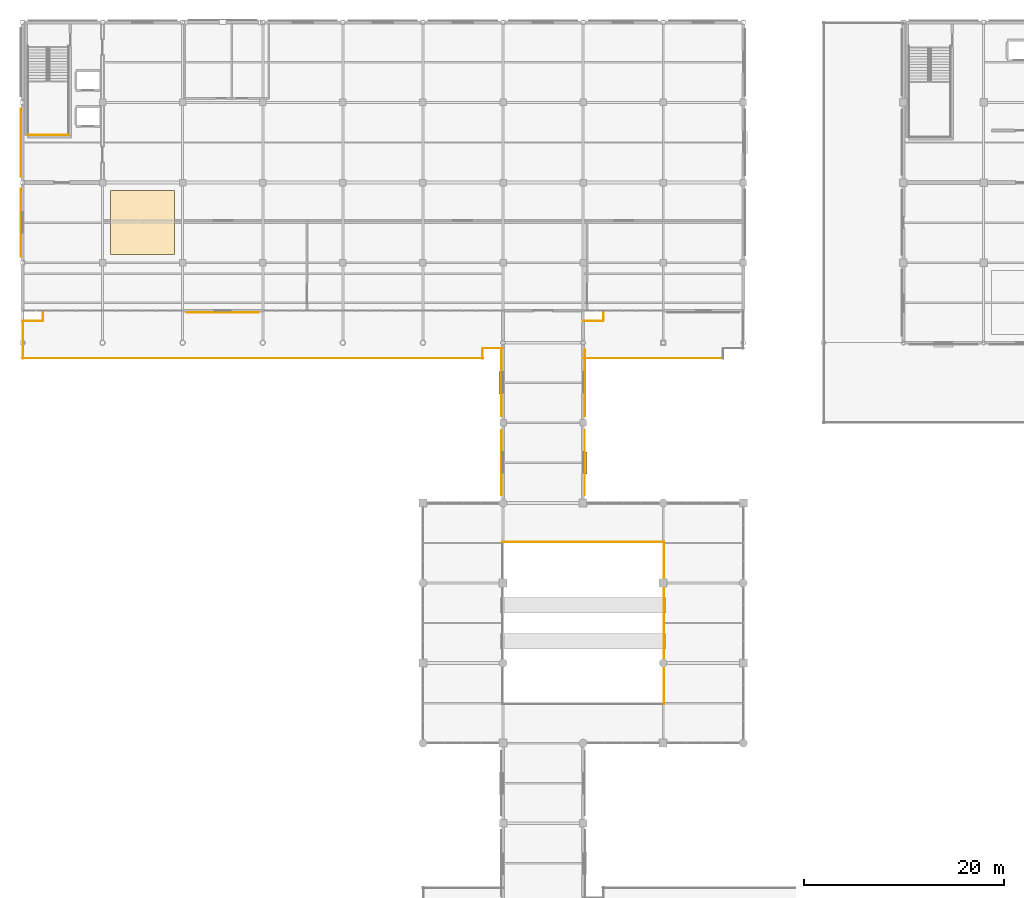
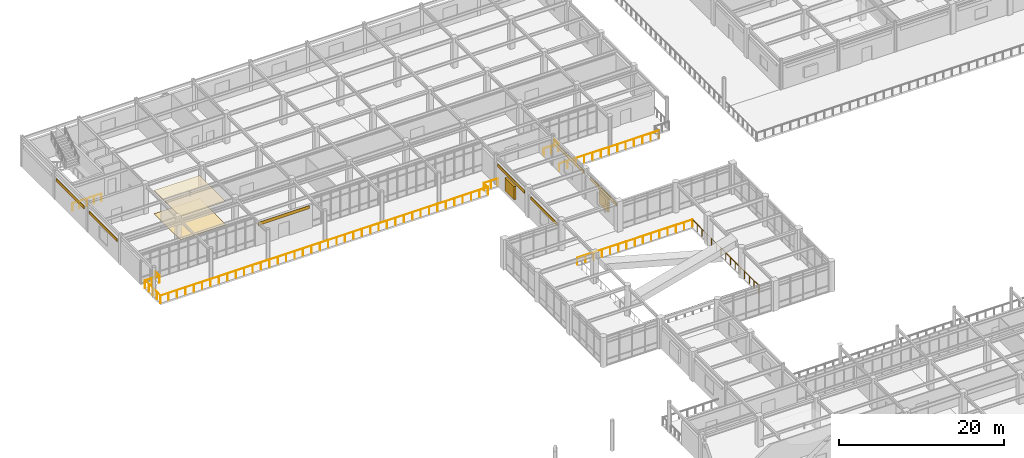
# One storey, part 68 of 75: 12 railings, 9 coverings, 2 shading devices.
"""IFC4 building model written with IfcOpenShell, lengths in metres."""

import ifcopenshell
import ifcopenshell.guid

model = None  # the IFC model being written
_history = None  # IfcOwnerHistory: only IFC2X3 demands one
_inside = {}  # id of a spatial element -> (the spatial element, [elements in it])
_under = {}  # id of a project, library or spatial element -> (it, [spatial elements below it])
_declared = {}  # id of a project -> (the project, [libraries it declares])
_typed = {}  # id of a type object -> (the type object, [elements of that type])
_made_of = {}  # id of a material, layer set ... -> (it, [elements and type objects made of it])


def new_model(schema):
    """Start an empty IFC model of exactly this schema.

    Asked for "IFC4X3", IfcOpenShell would pick the latest addendum, in which some entities
    have other attributes; the version numbers below select the first issue.
    IFC2X3 requires an IfcOwnerHistory on every rooted entity: one is made here for all.
    """
    global model, _history
    if schema == "IFC4X3":
        model = ifcopenshell.file(schema_version=(4, 3, 0, 0))
    else:
        model = ifcopenshell.file(schema=schema)
    _inside.clear()
    _under.clear()
    _declared.clear()
    _typed.clear()
    _made_of.clear()
    _history = None
    if model.schema == "IFC2X3":
        org = make("IfcOrganization", Name="unknown")
        user = make(
            "IfcPersonAndOrganization",
            ThePerson=make("IfcPerson", FamilyName="unknown"),
            TheOrganization=org,
        )
        app = make(
            "IfcApplication",
            ApplicationDeveloper=org,
            Version="unknown",
            ApplicationFullName="unknown",
            ApplicationIdentifier="unknown",
        )
        _history = make(
            "IfcOwnerHistory",
            OwningUser=user,
            OwningApplication=app,
            ChangeAction="ADDED",
            CreationDate=0,
        )
    return model


def make(cls, **values):
    """One entity of the class cls with the attributes given. An attribute that is None is left unset."""
    return model.create_entity(
        cls, **{name: value for name, value in values.items() if value is not None}
    )


def rooted(cls, **values):
    """An entity with a GlobalId (a new one), such as an element, a storey or a relation."""
    return make(cls, GlobalId=ifcopenshell.guid.new(), OwnerHistory=_history, **values)


def si_unit(unit_type, name, prefix=None):
    """IfcSIUnit, for example si_unit("LENGTHUNIT", "METRE", prefix="MILLI")."""
    return make("IfcSIUnit", UnitType=unit_type, Prefix=prefix, Name=name)


def assignment(units):
    """IfcUnitAssignment: the units of a project."""
    return None if units is None else make("IfcUnitAssignment", Units=units)


def point(xyz):
    """IfcCartesianPoint."""
    return None if xyz is None else make("IfcCartesianPoint", Coordinates=xyz)


def direction(xyz):
    """IfcDirection."""
    return None if xyz is None else make("IfcDirection", DirectionRatios=xyz)


def frame(location, z_axis=None, x_axis=None):
    """IfcAxis2Placement3D, a coordinate frame: its origin and axes. An axis left out is left unset."""
    return make(
        "IfcAxis2Placement3D",
        Location=point(location),
        Axis=direction(z_axis),
        RefDirection=direction(x_axis),
    )


def frame_2d(location, x_axis=None):
    """IfcAxis2Placement2D, a coordinate frame in the plane: its origin and x axis."""
    return make(
        "IfcAxis2Placement2D", Location=point(location), RefDirection=direction(x_axis)
    )


def origin():
    """The frame at (0, 0, 0) with its axes left unset."""
    return frame((0.0, 0.0, 0.0))


def origin_2d():
    """The frame at (0, 0) in the plane with its x axis left unset."""
    return frame_2d((0.0, 0.0))


def place(relative_to, where):
    """IfcLocalPlacement: puts the frame where relative to a parent placement (None: the world)."""
    return make(
        "IfcLocalPlacement", PlacementRelTo=relative_to, RelativePlacement=where
    )


def context(
    kind, dimensions, precision=None, world=None, true_north=None, identifier=None
):
    """IfcGeometricRepresentationContext, for example the 3D "Model" context."""
    return make(
        "IfcGeometricRepresentationContext",
        ContextIdentifier=identifier,
        ContextType=kind,
        CoordinateSpaceDimension=dimensions,
        Precision=precision,
        WorldCoordinateSystem=world,
        TrueNorth=true_north,
    )


def subcontext(parent, identifier, kind, view, scale=None):
    """IfcGeometricRepresentationSubContext, for example "Body" below "Model"."""
    return make(
        "IfcGeometricRepresentationSubContext",
        ContextIdentifier=identifier,
        ContextType=kind,
        ParentContext=parent,
        TargetScale=scale,
        TargetView=view,
    )


def project(units=None, contexts=None):
    """IfcProject with its units and contexts."""
    return rooted(
        "IfcProject",
        Name="project",
        RepresentationContexts=contexts,
        UnitsInContext=assignment(units),
    )


def spatial(cls, under=None, at=None, **own):
    """A site, building, storey or space (cls), placed at a placement, below another one or the project."""
    s = rooted(cls, ObjectPlacement=at, **own)
    if under is not None:
        _under.setdefault(under.id(), (under, []))[1].append(s)
    return s


def polyline(points):
    """IfcPolyline through the points."""
    return make("IfcPolyline", Points=[point(p) for p in points])


def profile(cls, at=None, kind="AREA", **sizes):
    """A parametric profile (cls). Its sizes go by their IFC names, for example OverallWidth=200.0."""
    return make(cls, ProfileType=kind, Position=at, **sizes)


def rectangle(**sizes):
    """IfcRectangleProfileDef."""
    return profile("IfcRectangleProfileDef", **sizes)


def circle(**sizes):
    """IfcCircleProfileDef."""
    return profile("IfcCircleProfileDef", **sizes)


def outline(outer, holes=None, kind="AREA"):
    """IfcArbitraryClosedProfileDef: a profile drawn as a closed curve; with holes, ...WithVoids."""
    if holes is None:
        return make("IfcArbitraryClosedProfileDef", ProfileType=kind, OuterCurve=outer)
    return make(
        "IfcArbitraryProfileDefWithVoids",
        ProfileType=kind,
        OuterCurve=outer,
        InnerCurves=holes,
    )


def extrude(swept, where, along, depth):
    """IfcExtrudedAreaSolid: the profile swept, set in the frame where, extruded along a direction by depth."""
    return make(
        "IfcExtrudedAreaSolid",
        SweptArea=swept,
        Position=where,
        ExtrudedDirection=direction(along),
        Depth=depth,
    )


def shape(context_of_items, identifier, shape_type, items):
    """IfcShapeRepresentation: the items that make up one representation, for example the "Body"."""
    return make(
        "IfcShapeRepresentation",
        ContextOfItems=context_of_items,
        RepresentationIdentifier=identifier,
        RepresentationType=shape_type,
        Items=items,
    )


def material(Name=None, Category=None):
    """IfcMaterial."""
    return make("IfcMaterial", Name=Name, Category=Category)


def layer(
    of_material, thickness, ventilated=None, Name=None, Category=None, Priority=None
):
    """IfcMaterialLayer: one layer of a wall or slab, of a material (None: an air gap)."""
    return make(
        "IfcMaterialLayer",
        Material=of_material,
        LayerThickness=thickness,
        IsVentilated=ventilated,
        Name=Name,
        Category=Category,
        Priority=Priority,
    )


def layer_set(layers, Name=None):
    """IfcMaterialLayerSet."""
    return make("IfcMaterialLayerSet", MaterialLayers=layers, LayerSetName=Name)


def made_of(thing, what):
    """Note that an element or type object is made of a material, layer set ...; save() writes the relation."""
    if what is not None:
        _made_of.setdefault(what.id(), (what, []))[1].append(thing)
    return thing


def type_object(cls, material=None, **own):
    """A type object (cls), such as IfcWallType, which elements share."""
    return made_of(rooted(cls, **own), material)


def element(
    cls,
    number,
    at=None,
    inside=None,
    cuts=None,
    type_object=None,
    material=None,
    context=None,
    identifier="Body",
    shape_type=None,
    held_by="IfcProductDefinitionShape",
    body=None,
    shapes=None,
    **own,
):
    """One element of the class cls, such as IfcWall. Its Tag is "e" and its number.

    at: its placement. inside: the storey or other place that contains it. cuts: it is an
    opening in that element (IfcRelVoidsElement). A single representation is given by context,
    identifier, shape_type and body (its items); several are given by shapes. held_by: the class
    of the entity that holds the representations. save() writes the other relations.
    """
    e = rooted(cls, Tag="e%d" % number, ObjectPlacement=at, **own)
    if body is not None:
        shapes = [shape(context, identifier, shape_type, body)]
    if shapes is not None:
        e.Representation = make(held_by, Representations=shapes)
    if inside is not None:
        _inside.setdefault(inside.id(), (inside, []))[1].append(e)
    if cuts is not None:
        rooted(
            "IfcRelVoidsElement", RelatingBuildingElement=cuts, RelatedOpeningElement=e
        )
    if type_object is not None:
        _typed.setdefault(type_object.id(), (type_object, []))[1].append(e)
    return made_of(e, material)


def aggregate(whole, parts):
    """IfcRelAggregates: a whole, such as a stair, and the parts it consists of."""
    return rooted("IfcRelAggregates", RelatingObject=whole, RelatedObjects=parts)


def save(model, path):
    """Write the relations noted so far, then the file.

    IfcRelAggregates (storeys below a building ...), IfcRelContainedInSpatialStructure (elements
    in a storey), IfcRelDefinesByType, IfcRelAssociatesMaterial and IfcRelDeclares: one each for
    every whole, place, type object, material and project.
    """
    for whole, parts in _under.values():
        aggregate(whole, parts)
    for where, things in _inside.values():
        rooted(
            "IfcRelContainedInSpatialStructure",
            RelatedElements=things,
            RelatingStructure=where,
        )
    for kind, things in _typed.values():
        rooted("IfcRelDefinesByType", RelatedObjects=things, RelatingType=kind)
    for what, things in _made_of.values():
        rooted("IfcRelAssociatesMaterial", RelatedObjects=things, RelatingMaterial=what)
    for by, libraries in _declared.values():
        rooted("IfcRelDeclares", RelatingContext=by, RelatedDefinitions=libraries)
    model.write(path)


model = new_model("IFC4")

# Units and contexts
model_context = context("Model", 3, precision=1e-05, world=origin(), true_north=direction((0.0, 1.0)))
body_context = subcontext(model_context, "Body", "Model", "MODEL_VIEW")
ifc_project = project(units=[si_unit("LENGTHUNIT", "METRE"), si_unit("AREAUNIT", "SQUARE_METRE"), si_unit("VOLUMEUNIT", "CUBIC_METRE"), si_unit("PLANEANGLEUNIT", "RADIAN"), si_unit("MASSUNIT", "GRAM", prefix="KILO")], contexts=[model_context])

# Site, building, storey
site_placement = place(None, origin())
site = spatial("IfcSite", under=ifc_project, at=site_placement, CompositionType="ELEMENT")
building_placement = place(site_placement, origin())
building = spatial("IfcBuilding", under=site, at=building_placement, Name="Solmirada Galleria", CompositionType="ELEMENT")
storey_placement = place(building_placement, frame((0.0, 0.0, 19.39990234375)))
storey = spatial("IfcBuildingStorey", under=building, at=storey_placement, Name="L04", CompositionType="ELEMENT", Elevation=19.39990234375)

# Coverings
ifc_material_1 = material(Name="Perforated acoustic mineral-fibre ceiling")
ifc_layer_1 = layer(ifc_material_1, 0.02490234375)
ifc_layer_set_1 = layer_set([ifc_layer_1], Name="Perforated acoustic mineral-fibre ceiling")
covering_type_1 = type_object("IfcCoveringType", Name="COV-CEIL-ACOUST", PredefinedType="CEILING", material=ifc_layer_set_1)
covering_1_placement = place(storey_placement, frame((0.0, 0.0, 3.4501953125)))
element("IfcCovering", 1, at=covering_1_placement, inside=storey, type_object=covering_type_1, Name="Acoustic ceiling panel L04-1", PredefinedType="CEILING", context=body_context, shape_type="SweptSolid", body=[
    extrude(outline(polyline([(48.800048828125, 96.800048828125), (55.199951171875, 96.800048828125), (55.199951171875, 103.199951171875), (48.800048828125, 103.199951171875), (48.800048828125, 96.800048828125)])), origin(), (0.0, 0.0, 1.0), 0.02490234375),
])
ifc_material_2 = material(Name="Limestone cladding panels", Category="masonry")
ifc_layer_2 = layer(ifc_material_2, 0.044921875)
ifc_layer_set_2 = layer_set([ifc_layer_2], Name="Limestone cladding panels")
covering_type_2 = type_object("IfcCoveringType", Name="COV-CLAD-LIME", PredefinedType="CLADDING", material=ifc_layer_set_2)
covering_2_placement = place(storey_placement, frame((87.83251953125, 84.0, 2.990234375), z_axis=(0.0, 0.0, 1.0), x_axis=(0.0, 1.0, 0.0)))
element("IfcCovering", 2, at=covering_2_placement, inside=storey, type_object=covering_type_2, Name="Postmodern facade cladding L04-252", PredefinedType="CLADDING", context=body_context, shape_type="SweptSolid", body=[
    extrude(rectangle(XDim=6.646484375, YDim=0.044921875, at=origin_2d()), origin(), (0.0, 0.0, 1.0), 0.4599609375),
])
covering_3_placement = place(storey_placement, frame((39.83251953125, 108.0, 2.990234375), z_axis=(0.0, 0.0, 1.0), x_axis=(0.0, 1.0, 0.0)))
element("IfcCovering", 3, at=covering_3_placement, inside=storey, type_object=covering_type_2, Name="Postmodern facade cladding L04-255", PredefinedType="CLADDING", context=body_context, shape_type="SweptSolid", body=[
    extrude(rectangle(XDim=6.7939453125, YDim=0.044921875, at=origin_2d()), origin(), (0.0, 0.0, 1.0), 0.4599609375),
])
covering_4_placement = place(storey_placement, frame((96.16748046875, 84.0, 2.990234375), z_axis=(0.0, 0.0, 1.0), x_axis=(0.0, -1.0, 0.0)))
element("IfcCovering", 4, at=covering_4_placement, inside=storey, type_object=covering_type_2, Name="Postmodern facade cladding L04-270", PredefinedType="CLADDING", context=body_context, shape_type="SweptSolid", body=[
    extrude(rectangle(XDim=6.646484375, YDim=0.044921875, at=origin_2d()), origin(), (0.0, 0.0, 1.0), 0.4599609375),
])
ifc_material_3 = material(Name="Glazed terracotta facade panels", Category="masonry")
ifc_layer_3 = layer(ifc_material_3, 0.0400390625)
ifc_layer_set_3 = layer_set([ifc_layer_3], Name="Glazed terracotta facade panels")
covering_type_3 = type_object("IfcCoveringType", Name="COV-CLAD-TERRA", PredefinedType="CLADDING", material=ifc_layer_set_3)
covering_5_placement = place(storey_placement, frame((87.8349609375, 76.0, 2.990234375), z_axis=(0.0, 0.0, 1.0), x_axis=(0.0, 1.0, 0.0)))
element("IfcCovering", 5, at=covering_5_placement, inside=storey, type_object=covering_type_3, Name="Postmodern facade cladding L04-251", PredefinedType="CLADDING", context=body_context, shape_type="SweptSolid", body=[
    extrude(rectangle(XDim=6.47509765625, YDim=0.0400390625, at=origin_2d()), origin(), (0.0, 0.0, 1.0), 0.4599609375),
])
covering_6_placement = place(storey_placement, frame((60.0, 91.034912109375, 2.990234375), z_axis=(0.0, 0.0, 1.0), x_axis=(-1.0, 0.0, 0.0)))
element("IfcCovering", 6, at=covering_6_placement, inside=storey, type_object=covering_type_3, Name="Postmodern facade cladding L04-253", PredefinedType="CLADDING", context=body_context, shape_type="SweptSolid", body=[
    extrude(rectangle(XDim=7.199951171875, YDim=0.0400390625, at=origin_2d()), origin(), (0.0, 0.0, 1.0), 0.4599609375),
])
covering_7_placement = place(storey_placement, frame((39.8349609375, 100.0, 2.990234375), z_axis=(0.0, 0.0, 1.0), x_axis=(0.0, 1.0, 0.0)))
element("IfcCovering", 7, at=covering_7_placement, inside=storey, type_object=covering_type_3, Name="Postmodern facade cladding L04-254", PredefinedType="CLADDING", context=body_context, shape_type="SweptSolid", body=[
    extrude(rectangle(XDim=6.7939453125, YDim=0.0400390625, at=origin_2d()), origin(), (0.0, 0.0, 1.0), 0.4599609375),
])
covering_8_placement = place(storey_placement, frame((96.1650390625, 76.0, 2.990234375), z_axis=(0.0, 0.0, 1.0), x_axis=(0.0, -1.0, 0.0)))
element("IfcCovering", 8, at=covering_8_placement, inside=storey, type_object=covering_type_3, Name="Postmodern facade cladding L04-271", PredefinedType="CLADDING", context=body_context, shape_type="SweptSolid", body=[
    extrude(rectangle(XDim=6.47509765625, YDim=0.0400390625, at=origin_2d()), origin(), (0.0, 0.0, 1.0), 0.4599609375),
])
ifc_material_4 = material(Name="Polished terrazzo and porcelain tile flooring")
ifc_layer_4 = layer(ifc_material_4, 0.030029296875)
ifc_layer_set_4 = layer_set([ifc_layer_4], Name="Polished terrazzo and porcelain tile flooring")
covering_type_4 = type_object("IfcCoveringType", Name="COV-FLOOR-TERRAZ", PredefinedType="FLOORING", material=ifc_layer_set_4)
covering_9_placement = place(storey_placement, origin())
element("IfcCovering", 9, at=covering_9_placement, inside=storey, type_object=covering_type_4, Name="Terrazzo floor finish L04-1", PredefinedType="FLOORING", context=body_context, shape_type="SweptSolid", body=[
    extrude(outline(polyline([(48.800048828125, 96.800048828125), (55.199951171875, 96.800048828125), (55.199951171875, 103.199951171875), (48.800048828125, 103.199951171875), (48.800048828125, 96.800048828125)])), origin(), (0.0, 0.0, 1.0), 0.030029296875),
])

# Railings
ifc_material_5 = material(Name="Tempered laminated glass and stainless-steel balustrade", Category="steel")
railing_type_1 = type_object("IfcRailingType", Name="RAIL-ATRIUM-BAL", PredefinedType="BALUSTRADE", material=ifc_material_5)
railing_1_placement = place(storey_placement, frame((104.080078125, 51.919921875, 0.0)))
element("IfcRailing", 10, at=railing_1_placement, inside=storey, type_object=railing_type_1, Name="Void balustrade ATRIUM L04-E1", PredefinedType="BALUSTRADE", context=body_context, shape_type="SweptSolid", body=[
    extrude(circle(Radius=0.02392578125, at=origin_2d()), frame((0.0, 0.0, 1.09619140625), z_axis=(0.0, 1.0, 0.0), x_axis=(-1.0, 0.0, 0.0)), (0.0, 0.0, 1.0), 16.16015625),
    extrude(circle(Radius=0.02099609375, at=origin_2d()), origin(), (0.0, 0.0, 1.0), 1.068115234375),
    extrude(circle(Radius=0.02099609375, at=origin_2d()), frame((0.0, 1.154296875, 0.0)), (0.0, 0.0, 1.0), 1.068115234375),
    extrude(circle(Radius=0.02099609375, at=origin_2d()), frame((0.0, 2.30859375, 0.0)), (0.0, 0.0, 1.0), 1.068115234375),
    extrude(circle(Radius=0.02099609375, at=origin_2d()), frame((0.0, 3.462890625, 0.0)), (0.0, 0.0, 1.0), 1.068115234375),
    extrude(circle(Radius=0.02099609375, at=origin_2d()), frame((0.0, 4.6171875, 0.0)), (0.0, 0.0, 1.0), 1.068115234375),
    extrude(circle(Radius=0.02099609375, at=origin_2d()), frame((0.0, 5.771484375, 0.0)), (0.0, 0.0, 1.0), 1.068115234375),
    extrude(circle(Radius=0.02099609375, at=origin_2d()), frame((0.0, 6.92578125, 0.0)), (0.0, 0.0, 1.0), 1.068115234375),
    extrude(circle(Radius=0.02099609375, at=origin_2d()), frame((0.0, 8.080078125, 0.0)), (0.0, 0.0, 1.0), 1.068115234375),
    extrude(circle(Radius=0.02099609375, at=origin_2d()), frame((0.0, 9.234375, 0.0)), (0.0, 0.0, 1.0), 1.068115234375),
    extrude(circle(Radius=0.02099609375, at=origin_2d()), frame((0.0, 10.388671875, 0.0)), (0.0, 0.0, 1.0), 1.068115234375),
    extrude(circle(Radius=0.02099609375, at=origin_2d()), frame((0.0, 11.54296875, 0.0)), (0.0, 0.0, 1.0), 1.068115234375),
    extrude(circle(Radius=0.02099609375, at=origin_2d()), frame((0.0, 12.697265625, 0.0)), (0.0, 0.0, 1.0), 1.068115234375),
    extrude(circle(Radius=0.02099609375, at=origin_2d()), frame((0.0, 13.8515625, 0.0)), (0.0, 0.0, 1.0), 1.068115234375),
    extrude(circle(Radius=0.02099609375, at=origin_2d()), frame((0.0, 15.005859375, 0.0)), (0.0, 0.0, 1.0), 1.068115234375),
    extrude(circle(Radius=0.02099609375, at=origin_2d()), frame((0.0, 16.16015625, 0.0)), (0.0, 0.0, 1.0), 1.068115234375),
])
railing_2_placement = place(storey_placement, frame((87.919921875, 68.080078125, 0.0)))
element("IfcRailing", 11, at=railing_2_placement, inside=storey, type_object=railing_type_1, Name="Void balustrade ATRIUM L04-N", PredefinedType="BALUSTRADE", context=body_context, shape_type="SweptSolid", body=[
    extrude(circle(Radius=0.02392578125, at=origin_2d()), frame((0.0, 0.0, 1.09619140625), z_axis=(1.0, 0.0, 0.0), x_axis=(0.0, 1.0, 0.0)), (0.0, 0.0, 1.0), 16.16015625),
    extrude(circle(Radius=0.02099609375, at=origin_2d()), origin(), (0.0, 0.0, 1.0), 1.068115234375),
    extrude(circle(Radius=0.02099609375, at=origin_2d()), frame((1.154296875, 0.0, 0.0)), (0.0, 0.0, 1.0), 1.068115234375),
    extrude(circle(Radius=0.02099609375, at=origin_2d()), frame((2.30859375, 0.0, 0.0)), (0.0, 0.0, 1.0), 1.068115234375),
    extrude(circle(Radius=0.02099609375, at=origin_2d()), frame((3.462890625, 0.0, 0.0)), (0.0, 0.0, 1.0), 1.068115234375),
    extrude(circle(Radius=0.02099609375, at=origin_2d()), frame((4.6171875, 0.0, 0.0)), (0.0, 0.0, 1.0), 1.068115234375),
    extrude(circle(Radius=0.02099609375, at=origin_2d()), frame((5.771484375, 0.0, 0.0)), (0.0, 0.0, 1.0), 1.068115234375),
    extrude(circle(Radius=0.02099609375, at=origin_2d()), frame((6.92578125, 0.0, 0.0)), (0.0, 0.0, 1.0), 1.068115234375),
    extrude(circle(Radius=0.02099609375, at=origin_2d()), frame((8.080078125, 0.0, 0.0)), (0.0, 0.0, 1.0), 1.068115234375),
    extrude(circle(Radius=0.02099609375, at=origin_2d()), frame((9.234375, 0.0, 0.0)), (0.0, 0.0, 1.0), 1.068115234375),
    extrude(circle(Radius=0.02099609375, at=origin_2d()), frame((10.388671875, 0.0, 0.0)), (0.0, 0.0, 1.0), 1.068115234375),
    extrude(circle(Radius=0.02099609375, at=origin_2d()), frame((11.54296875, 0.0, 0.0)), (0.0, 0.0, 1.0), 1.068115234375),
    extrude(circle(Radius=0.02099609375, at=origin_2d()), frame((12.697265625, 0.0, 0.0)), (0.0, 0.0, 1.0), 1.068115234375),
    extrude(circle(Radius=0.02099609375, at=origin_2d()), frame((13.8515625, 0.0, 0.0)), (0.0, 0.0, 1.0), 1.068115234375),
    extrude(circle(Radius=0.02099609375, at=origin_2d()), frame((15.005859375, 0.0, 0.0)), (0.0, 0.0, 1.0), 1.068115234375),
    extrude(circle(Radius=0.02099609375, at=origin_2d()), frame((16.16015625, 0.0, 0.0)), (0.0, 0.0, 1.0), 1.068115234375),
])
ifc_material_6 = material(Name="Painted steel tubular railing", Category="steel")
railing_type_2 = type_object("IfcRailingType", Name="RAIL-STAIR-GUARD", PredefinedType="GUARDRAIL", material=ifc_material_6)
railing_3_placement = place(storey_placement, frame((44.610107421875, 108.739990234375, 0.0)))
element("IfcRailing", 12, at=railing_3_placement, inside=storey, type_object=railing_type_2, Name="Stair ST1 well edge guard L04-2", PredefinedType="GUARDRAIL", context=body_context, shape_type="SweptSolid", body=[
    extrude(circle(Radius=0.02392578125, at=origin_2d()), frame((0.0, 0.0, 1.09619140625), z_axis=(-1.0, 0.0, 0.0), x_axis=(0.0, -1.0, 0.0)), (0.0, 0.0, 1.0), 4.070068359375),
    extrude(circle(Radius=0.02099609375, at=origin_2d()), origin(), (0.0, 0.0, 1.0), 1.068115234375),
    extrude(circle(Radius=0.02099609375, at=origin_2d()), frame((-1.017578125, 0.0, 0.0)), (0.0, 0.0, 1.0), 1.068115234375),
    extrude(circle(Radius=0.02099609375, at=origin_2d()), frame((-2.03515625, 0.0, 0.0)), (0.0, 0.0, 1.0), 1.068115234375),
    extrude(circle(Radius=0.02099609375, at=origin_2d()), frame((-3.052490234375, 0.0, 0.0)), (0.0, 0.0, 1.0), 1.068115234375),
    extrude(circle(Radius=0.02099609375, at=origin_2d()), frame((-4.070068359375, 0.0, 0.0)), (0.0, 0.0, 1.0), 1.068115234375),
])
ifc_material_7 = material(Name="Painted galvanized steel balustrade", Category="steel")
railing_type_3 = type_object("IfcRailingType", Name="RAIL-TERR-1100", PredefinedType="GUARDRAIL", material=ifc_material_7)
railing_4_placement = place(storey_placement, frame((40.0, 86.449951171875, 0.0)))
element("IfcRailing", 13, at=railing_4_placement, inside=storey, type_object=railing_type_3, Name="Terrace guardrail L04-TERR-NW E1.1", PredefinedType="GUARDRAIL", context=body_context, shape_type="SweptSolid", body=[
    extrude(circle(Radius=0.02392578125, at=origin_2d()), frame((0.0, 0.0, 1.09619140625), z_axis=(1.0, 0.0, 0.0), x_axis=(0.0, 1.0, 0.0)), (0.0, 0.0, 1.0), 46.0),
    extrude(circle(Radius=0.02099609375, at=origin_2d()), origin(), (0.0, 0.0, 1.0), 1.068115234375),
    extrude(circle(Radius=0.02099609375, at=origin_2d()), frame((1.179443359375, 0.0, 0.0)), (0.0, 0.0, 1.0), 1.068115234375),
    extrude(circle(Radius=0.02099609375, at=origin_2d()), frame((2.35888671875, 0.0, 0.0)), (0.0, 0.0, 1.0), 1.068115234375),
    extrude(circle(Radius=0.02099609375, at=origin_2d()), frame((3.53857421875, 0.0, 0.0)), (0.0, 0.0, 1.0), 1.068115234375),
    extrude(circle(Radius=0.02099609375, at=origin_2d()), frame((4.718017578125, 0.0, 0.0)), (0.0, 0.0, 1.0), 1.068115234375),
    extrude(circle(Radius=0.02099609375, at=origin_2d()), frame((5.8974609375, 0.0, 0.0)), (0.0, 0.0, 1.0), 1.068115234375),
    extrude(circle(Radius=0.02099609375, at=origin_2d()), frame((7.076904296875, 0.0, 0.0)), (0.0, 0.0, 1.0), 1.068115234375),
    extrude(circle(Radius=0.02099609375, at=origin_2d()), frame((8.25634765625, 0.0, 0.0)), (0.0, 0.0, 1.0), 1.068115234375),
    extrude(circle(Radius=0.02099609375, at=origin_2d()), frame((9.435791015625, 0.0, 0.0)), (0.0, 0.0, 1.0), 1.068115234375),
    extrude(circle(Radius=0.02099609375, at=origin_2d()), frame((10.615478515625, 0.0, 0.0)), (0.0, 0.0, 1.0), 1.068115234375),
    extrude(circle(Radius=0.02099609375, at=origin_2d()), frame((11.794921875, 0.0, 0.0)), (0.0, 0.0, 1.0), 1.068115234375),
    extrude(circle(Radius=0.02099609375, at=origin_2d()), frame((12.974365234375, 0.0, 0.0)), (0.0, 0.0, 1.0), 1.068115234375),
    extrude(circle(Radius=0.02099609375, at=origin_2d()), frame((14.15380859375, 0.0, 0.0)), (0.0, 0.0, 1.0), 1.068115234375),
    extrude(circle(Radius=0.02099609375, at=origin_2d()), frame((15.333251953125, 0.0, 0.0)), (0.0, 0.0, 1.0), 1.068115234375),
    extrude(circle(Radius=0.02099609375, at=origin_2d()), frame((16.512939453125, 0.0, 0.0)), (0.0, 0.0, 1.0), 1.068115234375),
    extrude(circle(Radius=0.02099609375, at=origin_2d()), frame((17.6923828125, 0.0, 0.0)), (0.0, 0.0, 1.0), 1.068115234375),
    extrude(circle(Radius=0.02099609375, at=origin_2d()), frame((18.871826171875, 0.0, 0.0)), (0.0, 0.0, 1.0), 1.068115234375),
    extrude(circle(Radius=0.02099609375, at=origin_2d()), frame((20.05126953125, 0.0, 0.0)), (0.0, 0.0, 1.0), 1.068115234375),
    extrude(circle(Radius=0.02099609375, at=origin_2d()), frame((21.230712890625, 0.0, 0.0)), (0.0, 0.0, 1.0), 1.068115234375),
    extrude(circle(Radius=0.02099609375, at=origin_2d()), frame((22.41015625, 0.0, 0.0)), (0.0, 0.0, 1.0), 1.068115234375),
    extrude(circle(Radius=0.02099609375, at=origin_2d()), frame((23.58984375, 0.0, 0.0)), (0.0, 0.0, 1.0), 1.068115234375),
    extrude(circle(Radius=0.02099609375, at=origin_2d()), frame((24.769287109375, 0.0, 0.0)), (0.0, 0.0, 1.0), 1.068115234375),
    extrude(circle(Radius=0.02099609375, at=origin_2d()), frame((25.94873046875, 0.0, 0.0)), (0.0, 0.0, 1.0), 1.068115234375),
    extrude(circle(Radius=0.02099609375, at=origin_2d()), frame((27.128173828125, 0.0, 0.0)), (0.0, 0.0, 1.0), 1.068115234375),
    extrude(circle(Radius=0.02099609375, at=origin_2d()), frame((28.3076171875, 0.0, 0.0)), (0.0, 0.0, 1.0), 1.068115234375),
    extrude(circle(Radius=0.02099609375, at=origin_2d()), frame((29.487060546875, 0.0, 0.0)), (0.0, 0.0, 1.0), 1.068115234375),
    extrude(circle(Radius=0.02099609375, at=origin_2d()), frame((30.666748046875, 0.0, 0.0)), (0.0, 0.0, 1.0), 1.068115234375),
    extrude(circle(Radius=0.02099609375, at=origin_2d()), frame((31.84619140625, 0.0, 0.0)), (0.0, 0.0, 1.0), 1.068115234375),
    extrude(circle(Radius=0.02099609375, at=origin_2d()), frame((33.025634765625, 0.0, 0.0)), (0.0, 0.0, 1.0), 1.068115234375),
    extrude(circle(Radius=0.02099609375, at=origin_2d()), frame((34.205078125, 0.0, 0.0)), (0.0, 0.0, 1.0), 1.068115234375),
    extrude(circle(Radius=0.02099609375, at=origin_2d()), frame((35.384521484375, 0.0, 0.0)), (0.0, 0.0, 1.0), 1.068115234375),
    extrude(circle(Radius=0.02099609375, at=origin_2d()), frame((36.564208984375, 0.0, 0.0)), (0.0, 0.0, 1.0), 1.068115234375),
    extrude(circle(Radius=0.02099609375, at=origin_2d()), frame((37.74365234375, 0.0, 0.0)), (0.0, 0.0, 1.0), 1.068115234375),
    extrude(circle(Radius=0.02099609375, at=origin_2d()), frame((38.923095703125, 0.0, 0.0)), (0.0, 0.0, 1.0), 1.068115234375),
    extrude(circle(Radius=0.02099609375, at=origin_2d()), frame((40.1025390625, 0.0, 0.0)), (0.0, 0.0, 1.0), 1.068115234375),
    extrude(circle(Radius=0.02099609375, at=origin_2d()), frame((41.281982421875, 0.0, 0.0)), (0.0, 0.0, 1.0), 1.068115234375),
    extrude(circle(Radius=0.02099609375, at=origin_2d()), frame((42.46142578125, 0.0, 0.0)), (0.0, 0.0, 1.0), 1.068115234375),
    extrude(circle(Radius=0.02099609375, at=origin_2d()), frame((43.64111328125, 0.0, 0.0)), (0.0, 0.0, 1.0), 1.068115234375),
    extrude(circle(Radius=0.02099609375, at=origin_2d()), frame((44.820556640625, 0.0, 0.0)), (0.0, 0.0, 1.0), 1.068115234375),
    extrude(circle(Radius=0.02099609375, at=origin_2d()), frame((46.0, 0.0, 0.0)), (0.0, 0.0, 1.0), 1.068115234375),
])
railing_5_placement = place(storey_placement, frame((85.949951171875, 86.39990234375, 0.0)))
element("IfcRailing", 14, at=railing_5_placement, inside=storey, type_object=railing_type_3, Name="Terrace guardrail L04-TERR-NW E2.1", PredefinedType="GUARDRAIL", context=body_context, shape_type="SweptSolid", body=[
    extrude(circle(Radius=0.02392578125, at=origin_2d()), frame((0.0, 0.0, 1.09619140625), z_axis=(0.0, 1.0, 0.0), x_axis=(-1.0, 0.0, 0.0)), (0.0, 0.0, 1.0), 1.0),
    extrude(circle(Radius=0.02099609375, at=origin_2d()), origin(), (0.0, 0.0, 1.0), 1.068115234375),
    extrude(circle(Radius=0.02099609375, at=origin_2d()), frame((0.0, 1.0, 0.0)), (0.0, 0.0, 1.0), 1.068115234375),
])
railing_6_placement = place(storey_placement, frame((86.0, 87.449951171875, 0.0)))
element("IfcRailing", 15, at=railing_6_placement, inside=storey, type_object=railing_type_3, Name="Terrace guardrail L04-TERR-NW E3.1", PredefinedType="GUARDRAIL", context=body_context, shape_type="SweptSolid", body=[
    extrude(circle(Radius=0.02392578125, at=origin_2d()), frame((0.0, 0.0, 1.09619140625), z_axis=(1.0, 0.0, 0.0), x_axis=(0.0, 1.0, 0.0)), (0.0, 0.0, 1.0), 2.0),
    extrude(circle(Radius=0.02099609375, at=origin_2d()), origin(), (0.0, 0.0, 1.0), 1.068115234375),
    extrude(circle(Radius=0.02099609375, at=origin_2d()), frame((1.0, 0.0, 0.0)), (0.0, 0.0, 1.0), 1.068115234375),
    extrude(circle(Radius=0.02099609375, at=origin_2d()), frame((2.0, 0.0, 0.0)), (0.0, 0.0, 1.0), 1.068115234375),
])
railing_7_placement = place(storey_placement, frame((42.050048828125, 91.199951171875, 0.0)))
element("IfcRailing", 16, at=railing_7_placement, inside=storey, type_object=railing_type_3, Name="Terrace guardrail L04-TERR-NW E6.1", PredefinedType="GUARDRAIL", context=body_context, shape_type="SweptSolid", body=[
    extrude(circle(Radius=0.02392578125, at=origin_2d()), frame((0.0, 0.0, 1.09619140625), z_axis=(0.0, -1.0, 0.0), x_axis=(1.0, 0.0, 0.0)), (0.0, 0.0, 1.0), 1.0),
    extrude(circle(Radius=0.02099609375, at=origin_2d()), origin(), (0.0, 0.0, 1.0), 1.068115234375),
    extrude(circle(Radius=0.02099609375, at=origin_2d()), frame((0.0, -1.0, 0.0)), (0.0, 0.0, 1.0), 1.068115234375),
])
railing_8_placement = place(storey_placement, frame((42.0, 90.14990234375, 0.0)))
element("IfcRailing", 17, at=railing_8_placement, inside=storey, type_object=railing_type_3, Name="Terrace guardrail L04-TERR-NW E7.1", PredefinedType="GUARDRAIL", context=body_context, shape_type="SweptSolid", body=[
    extrude(circle(Radius=0.02392578125, at=origin_2d()), frame((0.0, 0.0, 1.09619140625), z_axis=(-1.0, 0.0, 0.0), x_axis=(0.0, -1.0, 0.0)), (0.0, 0.0, 1.0), 2.0),
    extrude(circle(Radius=0.02099609375, at=origin_2d()), origin(), (0.0, 0.0, 1.0), 1.068115234375),
    extrude(circle(Radius=0.02099609375, at=origin_2d()), frame((-1.0, 0.0, 0.0)), (0.0, 0.0, 1.0), 1.068115234375),
    extrude(circle(Radius=0.02099609375, at=origin_2d()), frame((-2.0, 0.0, 0.0)), (0.0, 0.0, 1.0), 1.068115234375),
])
railing_9_placement = place(storey_placement, frame((40.050048828125, 90.199951171875, 0.0)))
element("IfcRailing", 18, at=railing_9_placement, inside=storey, type_object=railing_type_3, Name="Terrace guardrail L04-TERR-NW E8.1", PredefinedType="GUARDRAIL", context=body_context, shape_type="SweptSolid", body=[
    extrude(circle(Radius=0.02392578125, at=origin_2d()), frame((0.0, 0.0, 1.09619140625), z_axis=(0.0, -1.0, 0.0), x_axis=(1.0, 0.0, 0.0)), (0.0, 0.0, 1.0), 3.800048828125),
    extrude(circle(Radius=0.02099609375, at=origin_2d()), origin(), (0.0, 0.0, 1.0), 1.068115234375),
    extrude(circle(Radius=0.02099609375, at=origin_2d()), frame((0.0, -0.949951171875, 0.0)), (0.0, 0.0, 1.0), 1.068115234375),
    extrude(circle(Radius=0.02099609375, at=origin_2d()), frame((0.0, -1.89990234375, 0.0)), (0.0, 0.0, 1.0), 1.068115234375),
    extrude(circle(Radius=0.02099609375, at=origin_2d()), frame((0.0, -2.85009765625, 0.0)), (0.0, 0.0, 1.0), 1.068115234375),
    extrude(circle(Radius=0.02099609375, at=origin_2d()), frame((0.0, -3.800048828125, 0.0)), (0.0, 0.0, 1.0), 1.068115234375),
])
railing_10_placement = place(storey_placement, frame((96.0, 86.449951171875, 0.0)))
element("IfcRailing", 19, at=railing_10_placement, inside=storey, type_object=railing_type_3, Name="Terrace guardrail L04-TERR-NE E1.1", PredefinedType="GUARDRAIL", context=body_context, shape_type="SweptSolid", body=[
    extrude(circle(Radius=0.02392578125, at=origin_2d()), frame((0.0, 0.0, 1.09619140625), z_axis=(1.0, 0.0, 0.0), x_axis=(0.0, 1.0, 0.0)), (0.0, 0.0, 1.0), 14.0),
    extrude(circle(Radius=0.02099609375, at=origin_2d()), origin(), (0.0, 0.0, 1.0), 1.068115234375),
    extrude(circle(Radius=0.02099609375, at=origin_2d()), frame((1.166748046875, 0.0, 0.0)), (0.0, 0.0, 1.0), 1.068115234375),
    extrude(circle(Radius=0.02099609375, at=origin_2d()), frame((2.333251953125, 0.0, 0.0)), (0.0, 0.0, 1.0), 1.068115234375),
    extrude(circle(Radius=0.02099609375, at=origin_2d()), frame((3.5, 0.0, 0.0)), (0.0, 0.0, 1.0), 1.068115234375),
    extrude(circle(Radius=0.02099609375, at=origin_2d()), frame((4.666748046875, 0.0, 0.0)), (0.0, 0.0, 1.0), 1.068115234375),
    extrude(circle(Radius=0.02099609375, at=origin_2d()), frame((5.833251953125, 0.0, 0.0)), (0.0, 0.0, 1.0), 1.068115234375),
    extrude(circle(Radius=0.02099609375, at=origin_2d()), frame((7.0, 0.0, 0.0)), (0.0, 0.0, 1.0), 1.068115234375),
    extrude(circle(Radius=0.02099609375, at=origin_2d()), frame((8.166748046875, 0.0, 0.0)), (0.0, 0.0, 1.0), 1.068115234375),
    extrude(circle(Radius=0.02099609375, at=origin_2d()), frame((9.333251953125, 0.0, 0.0)), (0.0, 0.0, 1.0), 1.068115234375),
    extrude(circle(Radius=0.02099609375, at=origin_2d()), frame((10.5, 0.0, 0.0)), (0.0, 0.0, 1.0), 1.068115234375),
    extrude(circle(Radius=0.02099609375, at=origin_2d()), frame((11.666748046875, 0.0, 0.0)), (0.0, 0.0, 1.0), 1.068115234375),
    extrude(circle(Radius=0.02099609375, at=origin_2d()), frame((12.833251953125, 0.0, 0.0)), (0.0, 0.0, 1.0), 1.068115234375),
    extrude(circle(Radius=0.02099609375, at=origin_2d()), frame((14.0, 0.0, 0.0)), (0.0, 0.0, 1.0), 1.068115234375),
])
railing_11_placement = place(storey_placement, frame((98.050048828125, 91.199951171875, 0.0)))
element("IfcRailing", 20, at=railing_11_placement, inside=storey, type_object=railing_type_3, Name="Terrace guardrail L04-TERR-NE E6.1", PredefinedType="GUARDRAIL", context=body_context, shape_type="SweptSolid", body=[
    extrude(circle(Radius=0.02392578125, at=origin_2d()), frame((0.0, 0.0, 1.09619140625), z_axis=(0.0, -1.0, 0.0), x_axis=(1.0, 0.0, 0.0)), (0.0, 0.0, 1.0), 1.0),
    extrude(circle(Radius=0.02099609375, at=origin_2d()), origin(), (0.0, 0.0, 1.0), 1.068115234375),
    extrude(circle(Radius=0.02099609375, at=origin_2d()), frame((0.0, -1.0, 0.0)), (0.0, 0.0, 1.0), 1.068115234375),
])
railing_12_placement = place(storey_placement, frame((98.0, 90.14990234375, 0.0)))
element("IfcRailing", 21, at=railing_12_placement, inside=storey, type_object=railing_type_3, Name="Terrace guardrail L04-TERR-NE E7.1", PredefinedType="GUARDRAIL", context=body_context, shape_type="SweptSolid", body=[
    extrude(circle(Radius=0.02392578125, at=origin_2d()), frame((0.0, 0.0, 1.09619140625), z_axis=(-1.0, 0.0, 0.0), x_axis=(0.0, -1.0, 0.0)), (0.0, 0.0, 1.0), 2.0),
    extrude(circle(Radius=0.02099609375, at=origin_2d()), origin(), (0.0, 0.0, 1.0), 1.068115234375),
    extrude(circle(Radius=0.02099609375, at=origin_2d()), frame((-1.0, 0.0, 0.0)), (0.0, 0.0, 1.0), 1.068115234375),
    extrude(circle(Radius=0.02099609375, at=origin_2d()), frame((-2.0, 0.0, 0.0)), (0.0, 0.0, 1.0), 1.068115234375),
])

# Shading devices
ifc_material_8 = material(Name="Extruded aluminium storm louvres", Category="aluminium")
shading_device_type = type_object("IfcShadingDeviceType", Name="SHD-JALOUSIE", PredefinedType="JALOUSIE", material=ifc_material_8)
for number, where, z_axis, x_axis, name in (
    (22, (87.72509765625, 84.0, 0.80029296875), (0.0, 0.0, 1.0), (0.0, 1.0, 0.0), "Hurricane storm jalousie louvre 081"),
    (23, (96.27490234375, 76.0, 0.80029296875), (0.0, 0.0, 1.0), (0.0, -1.0, 0.0), "Hurricane storm jalousie louvre 083"),
):
    element("IfcShadingDevice", number, at=place(storey_placement, frame(where, z_axis=z_axis, x_axis=x_axis)), inside=storey, type_object=shading_device_type, Name=name, PredefinedType="JALOUSIE", context=body_context, shape_type="SweptSolid", body=[
        extrude(rectangle(XDim=2.2099609375, YDim=0.260009765625, at=origin_2d()), origin(), (0.0, 0.0, 1.0), 1.949951171875),
    ])

save(model, "model.ifc")
